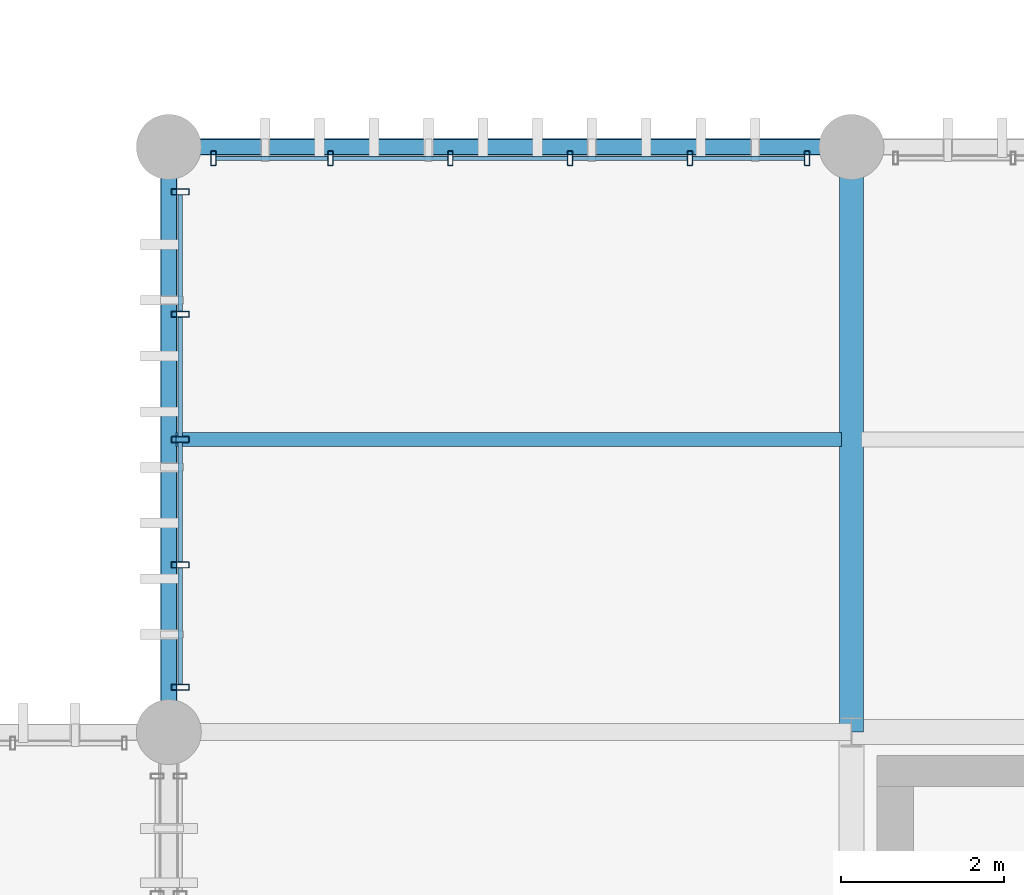
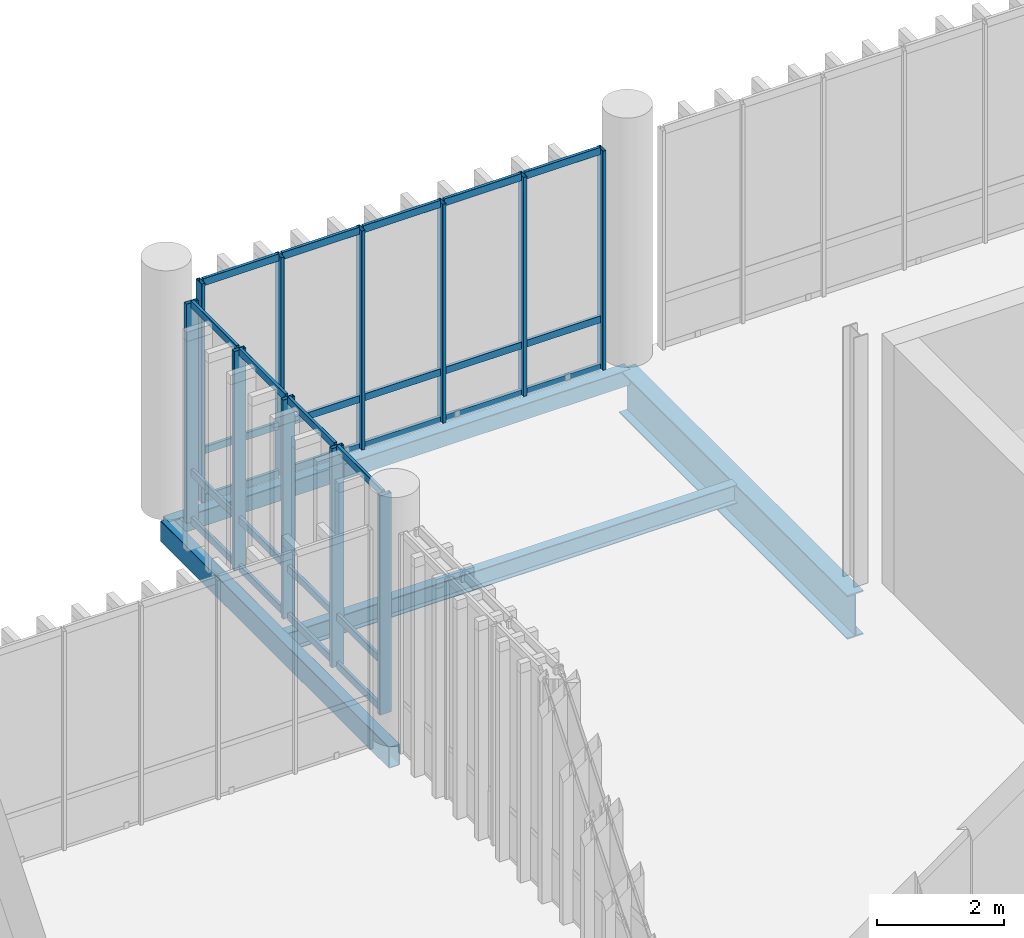
# One storey, part 33 of 94: 38 members, 4 beams, 2 elements without a shape of their own.
"""IFC4 building model written with IfcOpenShell, lengths in metres."""

import ifcopenshell
import ifcopenshell.guid

model = None  # the IFC model being written
_history = None  # IfcOwnerHistory: only IFC2X3 demands one
_inside = {}  # id of a spatial element -> (the spatial element, [elements in it])
_under = {}  # id of a project, library or spatial element -> (it, [spatial elements below it])
_declared = {}  # id of a project -> (the project, [libraries it declares])
_typed = {}  # id of a type object -> (the type object, [elements of that type])
_made_of = {}  # id of a material, layer set ... -> (it, [elements and type objects made of it])


def new_model(schema):
    """Start an empty IFC model of exactly this schema.

    Asked for "IFC4X3", IfcOpenShell would pick the latest addendum, in which some entities
    have other attributes; the version numbers below select the first issue.
    IFC2X3 requires an IfcOwnerHistory on every rooted entity: one is made here for all.
    """
    global model, _history
    if schema == "IFC4X3":
        model = ifcopenshell.file(schema_version=(4, 3, 0, 0))
    else:
        model = ifcopenshell.file(schema=schema)
    _inside.clear()
    _under.clear()
    _declared.clear()
    _typed.clear()
    _made_of.clear()
    _history = None
    if model.schema == "IFC2X3":
        org = make("IfcOrganization", Name="unknown")
        user = make(
            "IfcPersonAndOrganization",
            ThePerson=make("IfcPerson", FamilyName="unknown"),
            TheOrganization=org,
        )
        app = make(
            "IfcApplication",
            ApplicationDeveloper=org,
            Version="unknown",
            ApplicationFullName="unknown",
            ApplicationIdentifier="unknown",
        )
        _history = make(
            "IfcOwnerHistory",
            OwningUser=user,
            OwningApplication=app,
            ChangeAction="ADDED",
            CreationDate=0,
        )
    return model


def make(cls, **values):
    """One entity of the class cls with the attributes given. An attribute that is None is left unset."""
    return model.create_entity(
        cls, **{name: value for name, value in values.items() if value is not None}
    )


def rooted(cls, **values):
    """An entity with a GlobalId (a new one), such as an element, a storey or a relation."""
    return make(cls, GlobalId=ifcopenshell.guid.new(), OwnerHistory=_history, **values)


def si_unit(unit_type, name, prefix=None):
    """IfcSIUnit, for example si_unit("LENGTHUNIT", "METRE", prefix="MILLI")."""
    return make("IfcSIUnit", UnitType=unit_type, Prefix=prefix, Name=name)


def assignment(units):
    """IfcUnitAssignment: the units of a project."""
    return None if units is None else make("IfcUnitAssignment", Units=units)


def point(xyz):
    """IfcCartesianPoint."""
    return None if xyz is None else make("IfcCartesianPoint", Coordinates=xyz)


def direction(xyz):
    """IfcDirection."""
    return None if xyz is None else make("IfcDirection", DirectionRatios=xyz)


def frame(location, z_axis=None, x_axis=None):
    """IfcAxis2Placement3D, a coordinate frame: its origin and axes. An axis left out is left unset."""
    return make(
        "IfcAxis2Placement3D",
        Location=point(location),
        Axis=direction(z_axis),
        RefDirection=direction(x_axis),
    )


def frame_2d(location, x_axis=None):
    """IfcAxis2Placement2D, a coordinate frame in the plane: its origin and x axis."""
    return make(
        "IfcAxis2Placement2D", Location=point(location), RefDirection=direction(x_axis)
    )


def origin_with_axes():
    """The frame at (0, 0, 0) with the z axis (0, 0, 1) and the x axis (1, 0, 0) written out."""
    return frame((0.0, 0.0, 0.0), z_axis=(0.0, 0.0, 1.0), x_axis=(1.0, 0.0, 0.0))


def origin_2d_with_axis():
    """The frame at (0, 0) in the plane with the x axis (1, 0) written out."""
    return frame_2d((0.0, 0.0), x_axis=(1.0, 0.0))


def place(relative_to, where):
    """IfcLocalPlacement: puts the frame where relative to a parent placement (None: the world)."""
    return make(
        "IfcLocalPlacement", PlacementRelTo=relative_to, RelativePlacement=where
    )


def context(
    kind, dimensions, precision=None, world=None, true_north=None, identifier=None
):
    """IfcGeometricRepresentationContext, for example the 3D "Model" context."""
    return make(
        "IfcGeometricRepresentationContext",
        ContextIdentifier=identifier,
        ContextType=kind,
        CoordinateSpaceDimension=dimensions,
        Precision=precision,
        WorldCoordinateSystem=world,
        TrueNorth=true_north,
    )


def subcontext(parent, identifier, kind, view, scale=None):
    """IfcGeometricRepresentationSubContext, for example "Body" below "Model"."""
    return make(
        "IfcGeometricRepresentationSubContext",
        ContextIdentifier=identifier,
        ContextType=kind,
        ParentContext=parent,
        TargetScale=scale,
        TargetView=view,
    )


def project(units=None, contexts=None):
    """IfcProject with its units and contexts."""
    return rooted(
        "IfcProject",
        Name="project",
        RepresentationContexts=contexts,
        UnitsInContext=assignment(units),
    )


def spatial(cls, under=None, at=None, **own):
    """A site, building, storey or space (cls), placed at a placement, below another one or the project."""
    s = rooted(cls, ObjectPlacement=at, **own)
    if under is not None:
        _under.setdefault(under.id(), (under, []))[1].append(s)
    return s


def profile(cls, at=None, kind="AREA", **sizes):
    """A parametric profile (cls). Its sizes go by their IFC names, for example OverallWidth=200.0."""
    return make(cls, ProfileType=kind, Position=at, **sizes)


def hollow_rectangle(**sizes):
    """IfcRectangleHollowProfileDef."""
    return profile("IfcRectangleHollowProfileDef", **sizes)


def i_section(**sizes):
    """IfcIShapeProfileDef."""
    return profile("IfcIShapeProfileDef", **sizes)


def extrude(swept, where, along, depth):
    """IfcExtrudedAreaSolid: the profile swept, set in the frame where, extruded along a direction by depth."""
    return make(
        "IfcExtrudedAreaSolid",
        SweptArea=swept,
        Position=where,
        ExtrudedDirection=direction(along),
        Depth=depth,
    )


def shape(context_of_items, identifier, shape_type, items):
    """IfcShapeRepresentation: the items that make up one representation, for example the "Body"."""
    return make(
        "IfcShapeRepresentation",
        ContextOfItems=context_of_items,
        RepresentationIdentifier=identifier,
        RepresentationType=shape_type,
        Items=items,
    )


def material(Name=None, Category=None):
    """IfcMaterial."""
    return make("IfcMaterial", Name=Name, Category=Category)


def material_profile(
    of_material, cross_section, Name=None, Category=None, Priority=None
):
    """IfcMaterialProfile: a cross section and its material."""
    return make(
        "IfcMaterialProfile",
        Name=Name,
        Material=of_material,
        Profile=cross_section,
        Priority=Priority,
        Category=Category,
    )


def profile_set(profiles, Name=None, composite=None):
    """IfcMaterialProfileSet."""
    return make(
        "IfcMaterialProfileSet",
        Name=Name,
        MaterialProfiles=profiles,
        CompositeProfile=composite,
    )


def made_of(thing, what):
    """Note that an element or type object is made of a material, layer set ...; save() writes the relation."""
    if what is not None:
        _made_of.setdefault(what.id(), (what, []))[1].append(thing)
    return thing


def type_object(cls, material=None, **own):
    """A type object (cls), such as IfcWallType, which elements share."""
    return made_of(rooted(cls, **own), material)


def element(
    cls,
    number,
    at=None,
    inside=None,
    cuts=None,
    type_object=None,
    material=None,
    context=None,
    identifier="Body",
    shape_type=None,
    held_by="IfcProductDefinitionShape",
    body=None,
    shapes=None,
    **own,
):
    """One element of the class cls, such as IfcWall. Its Tag is "e" and its number.

    at: its placement. inside: the storey or other place that contains it. cuts: it is an
    opening in that element (IfcRelVoidsElement). A single representation is given by context,
    identifier, shape_type and body (its items); several are given by shapes. held_by: the class
    of the entity that holds the representations. save() writes the other relations.
    """
    e = rooted(cls, Tag="e%d" % number, ObjectPlacement=at, **own)
    if body is not None:
        shapes = [shape(context, identifier, shape_type, body)]
    if shapes is not None:
        e.Representation = make(held_by, Representations=shapes)
    if inside is not None:
        _inside.setdefault(inside.id(), (inside, []))[1].append(e)
    if cuts is not None:
        rooted(
            "IfcRelVoidsElement", RelatingBuildingElement=cuts, RelatedOpeningElement=e
        )
    if type_object is not None:
        _typed.setdefault(type_object.id(), (type_object, []))[1].append(e)
    return made_of(e, material)


def aggregate(whole, parts):
    """IfcRelAggregates: a whole, such as a stair, and the parts it consists of."""
    return rooted("IfcRelAggregates", RelatingObject=whole, RelatedObjects=parts)


def save(model, path):
    """Write the relations noted so far, then the file.

    IfcRelAggregates (storeys below a building ...), IfcRelContainedInSpatialStructure (elements
    in a storey), IfcRelDefinesByType, IfcRelAssociatesMaterial and IfcRelDeclares: one each for
    every whole, place, type object, material and project.
    """
    for whole, parts in _under.values():
        aggregate(whole, parts)
    for where, things in _inside.values():
        rooted(
            "IfcRelContainedInSpatialStructure",
            RelatedElements=things,
            RelatingStructure=where,
        )
    for kind, things in _typed.values():
        rooted("IfcRelDefinesByType", RelatedObjects=things, RelatingType=kind)
    for what, things in _made_of.values():
        rooted("IfcRelAssociatesMaterial", RelatedObjects=things, RelatingMaterial=what)
    for by, libraries in _declared.values():
        rooted("IfcRelDeclares", RelatingContext=by, RelatedDefinitions=libraries)
    model.write(path)


model = new_model("IFC4")

# Units and contexts
model_context = context("Model", 3, precision=1e-05, world=origin_with_axes(), true_north=direction((0.0, 1.0)))
body_context = subcontext(model_context, "Body", "Model", "MODEL_VIEW")
ifc_project = project(units=[si_unit("LENGTHUNIT", "METRE"), si_unit("AREAUNIT", "SQUARE_METRE"), si_unit("VOLUMEUNIT", "CUBIC_METRE"), si_unit("PLANEANGLEUNIT", "RADIAN"), si_unit("MASSUNIT", "GRAM", prefix="KILO"), si_unit("THERMODYNAMICTEMPERATUREUNIT", "KELVIN")], contexts=[model_context])

# Site, building, storey
site_placement = place(None, origin_with_axes())
site = spatial("IfcSite", under=ifc_project, at=site_placement, CompositionType="ELEMENT")
building_placement = place(site_placement, origin_with_axes())
building = spatial("IfcBuilding", under=site, at=building_placement, Name="Montbau Bow Law Courts", CompositionType="ELEMENT")
storey_placement = place(building_placement, frame((0.0, 0.0, 15.6), z_axis=(0.0, 0.0, 1.0), x_axis=(1.0, 0.0, 0.0)))
storey = spatial("IfcBuildingStorey", under=building, at=storey_placement, Name="L03", CompositionType="ELEMENT", Elevation=15.6)

# Beams
ifc_material_1 = material(Name="Steel CSA G40.21 Grade 350W (350 MPa)", Category="steel")
ifc_material_profile_1 = material_profile(ifc_material_1, i_section(OverallWidth=0.293, OverallDepth=0.846, WebThickness=0.0154, FlangeThickness=0.0244, at=origin_2d_with_axis()), Name="W840X210", Category="Main", Priority=0)
ifc_profile_set_1 = profile_set([ifc_material_profile_1], Name="Steel CSA G40.21 Grade 350W (350 MPa)")
beam_type_1 = type_object("IfcBeamType", Name="B-FLR-02", PredefinedType="BEAM", material=ifc_profile_set_1)
beam_1_placement = place(None, frame((55.2, 54.6, 14.917), z_axis=(0.0, 1.0, 0.0), x_axis=(-1.0, 0.0, 0.0)))
element("IfcBeam", 1, at=beam_1_placement, inside=storey, type_object=beam_type_1, Name="BM-L03-S0901:bm2_0904", PredefinedType="BEAM", context=body_context, shape_type="SweptSolid", body=[
    extrude(i_section(OverallWidth=0.293, OverallDepth=0.846, WebThickness=0.0154, FlangeThickness=0.0244, at=origin_2d_with_axis()), origin_with_axes(), (0.0, 0.0, 1.0), 7.2),
])
ifc_material_profile_2 = material_profile(ifc_material_1, i_section(OverallWidth=0.172, OverallDepth=0.358, WebThickness=0.0079, FlangeThickness=0.0131, at=origin_2d_with_axis()), Name="W360X57", Category="Main", Priority=0)
ifc_profile_set_2 = profile_set([ifc_material_profile_2], Name="Steel CSA G40.21 Grade 350W (350 MPa)")
beam_type_2 = type_object("IfcBeamType", Name="B-JST-03", PredefinedType="JOIST", material=ifc_profile_set_2)
beam_2_placement = place(None, frame((46.88, 58.2, 15.161), z_axis=(1.0, 0.0, 0.0), x_axis=(0.0, 1.0, 0.0)))
element("IfcBeam", 2, at=beam_2_placement, inside=storey, type_object=beam_type_2, Name="JST-L03-S0458:jst2_0458", PredefinedType="JOIST", context=body_context, shape_type="SweptSolid", body=[
    extrude(i_section(OverallWidth=0.172, OverallDepth=0.358, WebThickness=0.0079, FlangeThickness=0.0131, at=origin_2d_with_axis()), origin_with_axes(), (0.0, 0.0, 1.0), 8.198),
])
ifc_material_2 = material(Name="Steel CSA G40.21 Grade 350WT (350 MPa)", Category="steel")
ifc_material_profile_3 = material_profile(ifc_material_2, hollow_rectangle(XDim=0.203, YDim=0.406, WallThickness=0.0127, InnerFilletRadius=0.0254, OuterFilletRadius=0.0127, at=origin_2d_with_axis()), Name="HSS406X203X13", Category="Main", Priority=0)
ifc_profile_set_3 = profile_set([ifc_material_profile_3], Name="Steel CSA G40.21 Grade 350WT (350 MPa)")
beam_type_3 = type_object("IfcBeamType", Name="B-SPN-01", PredefinedType="SPANDREL", material=ifc_profile_set_3)
beam_3_placement = place(None, frame((46.8, 54.6, 15.137), z_axis=(0.0, 1.0, 0.0), x_axis=(-1.0, 0.0, 0.0)))
element("IfcBeam", 3, at=beam_3_placement, inside=storey, type_object=beam_type_3, Name="SPN-L03-S0898:bm2_0901", PredefinedType="SPANDREL", context=body_context, shape_type="SweptSolid", body=[
    extrude(hollow_rectangle(XDim=0.203, YDim=0.406, WallThickness=0.0127, InnerFilletRadius=0.0254, OuterFilletRadius=0.0127, at=origin_2d_with_axis()), origin_with_axes(), (0.0, 0.0, 1.0), 7.2),
])
ifc_material_profile_4 = material_profile(ifc_material_2, hollow_rectangle(XDim=0.203, YDim=0.305, WallThickness=0.0127, InnerFilletRadius=0.0254, OuterFilletRadius=0.0127, at=origin_2d_with_axis()), Name="HSS305X203X13", Category="Main", Priority=0)
ifc_profile_set_4 = profile_set([ifc_material_profile_4], Name="Steel CSA G40.21 Grade 350WT (350 MPa)")
beam_type_4 = type_object("IfcBeamType", Name="B-SPN-02", PredefinedType="SPANDREL", material=ifc_profile_set_4)
beam_4_placement = place(None, frame((46.8, 61.8, 15.188), z_axis=(1.0, 0.0, 0.0), x_axis=(0.0, 1.0, 0.0)))
element("IfcBeam", 4, at=beam_4_placement, inside=storey, type_object=beam_type_4, Name="SPN-L03-S0892:bm2_0895", PredefinedType="SPANDREL", context=body_context, shape_type="SweptSolid", body=[
    extrude(hollow_rectangle(XDim=0.203, YDim=0.305, WallThickness=0.0127, InnerFilletRadius=0.0254, OuterFilletRadius=0.0127, at=origin_2d_with_axis()), origin_with_axes(), (0.0, 0.0, 1.0), 8.4),
])

# Curtain wall, members
ifc_material_3 = material(Name="Thermally Broken Extruded Aluminium AA 6063-T6", Category="aluminium")
curtain_wall_type = type_object("IfcCurtainWallType", Name="CW-CRM-01", PredefinedType="NOTDEFINED", material=ifc_material_3)
curtain_wall_1_placement = place(None, frame((46.94, 55.115, 15.6), z_axis=(0.0, 0.0, 1.0), x_axis=(1.0, 0.0, 0.0)))
curtain_wall_1 = element("IfcCurtainWall", 5, at=curtain_wall_1_placement, inside=storey, type_object=curtain_wall_type, Name="CW-L03-189:cw_0189", PredefinedType="NOTDEFINED")
ifc_material_profile_5 = material_profile(ifc_material_3, hollow_rectangle(XDim=0.075, YDim=0.22, WallThickness=0.005, InnerFilletRadius=0.01, OuterFilletRadius=0.005, at=origin_2d_with_axis()), Name="CWM-220X75", Category="Main", Priority=0)
ifc_profile_set_5 = profile_set([ifc_material_profile_5], Name="Thermally Broken Extruded Aluminium AA 6063-T6")
member_type_1 = type_object("IfcMemberType", Name="M-MUL-01", PredefinedType="MULLION", material=ifc_profile_set_5)
member_1_placement = place(None, frame((46.94, 55.152, 15.6), z_axis=(0.0, 0.0, 1.0), x_axis=(0.0, 1.0, 0.0)))
member_1 = element("IfcMember", 6, at=member_1_placement, type_object=member_type_1, Name="CW-L03-189-M01:cw_0189_M01", PredefinedType="MULLION", context=body_context, shape_type="SweptSolid", body=[
    extrude(hollow_rectangle(XDim=0.075, YDim=0.22, WallThickness=0.005, InnerFilletRadius=0.01, OuterFilletRadius=0.005, at=origin_2d_with_axis()), origin_with_axes(), (0.0, 0.0, 1.0), 4.22),
])
member_2_placement = place(None, frame((46.94, 56.657, 15.6), z_axis=(0.0, 0.0, 1.0), x_axis=(0.0, 1.0, 0.0)))
member_2 = element("IfcMember", 7, at=member_2_placement, type_object=member_type_1, Name="CW-L03-189-M02:cw_0189_M02", PredefinedType="MULLION", context=body_context, shape_type="SweptSolid", body=[
    extrude(hollow_rectangle(XDim=0.075, YDim=0.22, WallThickness=0.005, InnerFilletRadius=0.01, OuterFilletRadius=0.005, at=origin_2d_with_axis()), origin_with_axes(), (0.0, 0.0, 1.0), 4.22),
])
member_3_placement = place(None, frame((46.94, 58.2, 15.6), z_axis=(0.0, 0.0, 1.0), x_axis=(0.0, 1.0, 0.0)))
member_3 = element("IfcMember", 8, at=member_3_placement, type_object=member_type_1, Name="CW-L03-189-M03:cw_0189_M03", PredefinedType="MULLION", context=body_context, shape_type="SweptSolid", body=[
    extrude(hollow_rectangle(XDim=0.075, YDim=0.22, WallThickness=0.005, InnerFilletRadius=0.01, OuterFilletRadius=0.005, at=origin_2d_with_axis()), origin_with_axes(), (0.0, 0.0, 1.0), 4.22),
])
member_4_placement = place(None, frame((46.94, 59.742, 15.6), z_axis=(0.0, 0.0, 1.0), x_axis=(0.0, 1.0, 0.0)))
member_4 = element("IfcMember", 9, at=member_4_placement, type_object=member_type_1, Name="CW-L03-189-M04:cw_0189_M04", PredefinedType="MULLION", context=body_context, shape_type="SweptSolid", body=[
    extrude(hollow_rectangle(XDim=0.075, YDim=0.22, WallThickness=0.005, InnerFilletRadius=0.01, OuterFilletRadius=0.005, at=origin_2d_with_axis()), origin_with_axes(), (0.0, 0.0, 1.0), 4.22),
])
member_5_placement = place(None, frame((46.94, 61.247, 15.6), z_axis=(0.0, 0.0, 1.0), x_axis=(0.0, 1.0, 0.0)))
member_5 = element("IfcMember", 10, at=member_5_placement, type_object=member_type_1, Name="CW-L03-189-M05:cw_0189_M05", PredefinedType="MULLION", context=body_context, shape_type="SweptSolid", body=[
    extrude(hollow_rectangle(XDim=0.075, YDim=0.22, WallThickness=0.005, InnerFilletRadius=0.01, OuterFilletRadius=0.005, at=origin_2d_with_axis()), origin_with_axes(), (0.0, 0.0, 1.0), 4.22),
])

curtain_wall_2_placement = place(None, frame((47.315, 61.66, 15.6), z_axis=(0.0, 0.0, 1.0), x_axis=(1.0, 0.0, 0.0)))
curtain_wall_2 = element("IfcCurtainWall", 11, at=curtain_wall_2_placement, inside=storey, type_object=curtain_wall_type, Name="CW-L03-181:cw_0181", PredefinedType="NOTDEFINED")
ifc_material_profile_6 = material_profile(ifc_material_3, hollow_rectangle(XDim=0.065, YDim=0.18, WallThickness=0.005, InnerFilletRadius=0.01, OuterFilletRadius=0.005, at=origin_2d_with_axis()), Name="CWM-180X65", Category="Main", Priority=0)
ifc_profile_set_6 = profile_set([ifc_material_profile_6], Name="Thermally Broken Extruded Aluminium AA 6063-T6")
member_type_2 = type_object("IfcMemberType", Name="M-MUL-02", PredefinedType="MULLION", material=ifc_profile_set_6)
member_6_placement = place(None, frame((47.348, 61.66, 15.6), z_axis=(0.0, 0.0, 1.0), x_axis=(1.0, 0.0, 0.0)))
member_6 = element("IfcMember", 12, at=member_6_placement, type_object=member_type_2, Name="CW-L03-181-M01:cw_0181_M01", PredefinedType="MULLION", context=body_context, shape_type="SweptSolid", body=[
    extrude(hollow_rectangle(XDim=0.065, YDim=0.18, WallThickness=0.005, InnerFilletRadius=0.01, OuterFilletRadius=0.005, at=origin_2d_with_axis()), origin_with_axes(), (0.0, 0.0, 1.0), 4.22),
])
member_7_placement = place(None, frame((48.789, 61.66, 15.6), z_axis=(0.0, 0.0, 1.0), x_axis=(1.0, 0.0, 0.0)))
member_7 = element("IfcMember", 13, at=member_7_placement, type_object=member_type_2, Name="CW-L03-181-M02:cw_0181_M02", PredefinedType="MULLION", context=body_context, shape_type="SweptSolid", body=[
    extrude(hollow_rectangle(XDim=0.065, YDim=0.18, WallThickness=0.005, InnerFilletRadius=0.01, OuterFilletRadius=0.005, at=origin_2d_with_axis()), origin_with_axes(), (0.0, 0.0, 1.0), 4.22),
])
member_8_placement = place(None, frame((50.263, 61.66, 15.6), z_axis=(0.0, 0.0, 1.0), x_axis=(1.0, 0.0, 0.0)))
member_8 = element("IfcMember", 14, at=member_8_placement, type_object=member_type_2, Name="CW-L03-181-M03:cw_0181_M03", PredefinedType="MULLION", context=body_context, shape_type="SweptSolid", body=[
    extrude(hollow_rectangle(XDim=0.065, YDim=0.18, WallThickness=0.005, InnerFilletRadius=0.01, OuterFilletRadius=0.005, at=origin_2d_with_axis()), origin_with_axes(), (0.0, 0.0, 1.0), 4.22),
])
member_9_placement = place(None, frame((51.737, 61.66, 15.6), z_axis=(0.0, 0.0, 1.0), x_axis=(1.0, 0.0, 0.0)))
member_9 = element("IfcMember", 15, at=member_9_placement, type_object=member_type_2, Name="CW-L03-181-M04:cw_0181_M04", PredefinedType="MULLION", context=body_context, shape_type="SweptSolid", body=[
    extrude(hollow_rectangle(XDim=0.065, YDim=0.18, WallThickness=0.005, InnerFilletRadius=0.01, OuterFilletRadius=0.005, at=origin_2d_with_axis()), origin_with_axes(), (0.0, 0.0, 1.0), 4.22),
])
member_10_placement = place(None, frame((53.211, 61.66, 15.6), z_axis=(0.0, 0.0, 1.0), x_axis=(1.0, 0.0, 0.0)))
member_10 = element("IfcMember", 16, at=member_10_placement, type_object=member_type_2, Name="CW-L03-181-M05:cw_0181_M05", PredefinedType="MULLION", context=body_context, shape_type="SweptSolid", body=[
    extrude(hollow_rectangle(XDim=0.065, YDim=0.18, WallThickness=0.005, InnerFilletRadius=0.01, OuterFilletRadius=0.005, at=origin_2d_with_axis()), origin_with_axes(), (0.0, 0.0, 1.0), 4.22),
])
member_11_placement = place(None, frame((54.653, 61.66, 15.6), z_axis=(0.0, 0.0, 1.0), x_axis=(1.0, 0.0, 0.0)))
member_11 = element("IfcMember", 17, at=member_11_placement, type_object=member_type_2, Name="CW-L03-181-M06:cw_0181_M06", PredefinedType="MULLION", context=body_context, shape_type="SweptSolid", body=[
    extrude(hollow_rectangle(XDim=0.065, YDim=0.18, WallThickness=0.005, InnerFilletRadius=0.01, OuterFilletRadius=0.005, at=origin_2d_with_axis()), origin_with_axes(), (0.0, 0.0, 1.0), 4.22),
])
ifc_material_profile_7 = material_profile(ifc_material_3, hollow_rectangle(XDim=0.055, YDim=0.14, WallThickness=0.004, InnerFilletRadius=0.008, OuterFilletRadius=0.004, at=origin_2d_with_axis()), Name="CWT-140X55", Category="Main", Priority=0)
ifc_profile_set_7 = profile_set([ifc_material_profile_7], Name="Thermally Broken Extruded Aluminium AA 6063-T6")
member_type_3 = type_object("IfcMemberType", Name="M-TRN-02", PredefinedType="USERDEFINED", material=ifc_profile_set_7)
member_12_placement = place(None, frame((47.383, 61.66, 15.627), z_axis=(1.0, 0.0, 0.0), x_axis=(0.0, 1.0, 0.0)))
member_12 = element("IfcMember", 18, at=member_12_placement, type_object=member_type_3, Name="CW-L03-181-T01-1:cw_0181_T01_1", ObjectType="TRANSOM", PredefinedType="USERDEFINED", context=body_context, shape_type="SweptSolid", body=[
    extrude(hollow_rectangle(XDim=0.055, YDim=0.14, WallThickness=0.004, InnerFilletRadius=0.008, OuterFilletRadius=0.004, at=origin_2d_with_axis()), origin_with_axes(), (0.0, 0.0, 1.0), 1.372),
])
member_13_placement = place(None, frame((47.383, 61.66, 16.55), z_axis=(1.0, 0.0, 0.0), x_axis=(0.0, 1.0, 0.0)))
member_13 = element("IfcMember", 19, at=member_13_placement, type_object=member_type_3, Name="CW-L03-181-T01-2:cw_0181_T01_2", ObjectType="TRANSOM", PredefinedType="USERDEFINED", context=body_context, shape_type="SweptSolid", body=[
    extrude(hollow_rectangle(XDim=0.055, YDim=0.14, WallThickness=0.004, InnerFilletRadius=0.008, OuterFilletRadius=0.004, at=origin_2d_with_axis()), origin_with_axes(), (0.0, 0.0, 1.0), 1.372),
])
member_14_placement = place(None, frame((47.383, 61.66, 19.793), z_axis=(1.0, 0.0, 0.0), x_axis=(0.0, 1.0, 0.0)))
member_14 = element("IfcMember", 20, at=member_14_placement, type_object=member_type_3, Name="CW-L03-181-T01-3:cw_0181_T01_3", ObjectType="TRANSOM", PredefinedType="USERDEFINED", context=body_context, shape_type="SweptSolid", body=[
    extrude(hollow_rectangle(XDim=0.055, YDim=0.14, WallThickness=0.004, InnerFilletRadius=0.008, OuterFilletRadius=0.004, at=origin_2d_with_axis()), origin_with_axes(), (0.0, 0.0, 1.0), 1.372),
])
member_15_placement = place(None, frame((48.823, 61.66, 15.627), z_axis=(1.0, 0.0, 0.0), x_axis=(0.0, 1.0, 0.0)))
member_15 = element("IfcMember", 21, at=member_15_placement, type_object=member_type_3, Name="CW-L03-181-T02-1:cw_0181_T02_1", ObjectType="TRANSOM", PredefinedType="USERDEFINED", context=body_context, shape_type="SweptSolid", body=[
    extrude(hollow_rectangle(XDim=0.055, YDim=0.14, WallThickness=0.004, InnerFilletRadius=0.008, OuterFilletRadius=0.004, at=origin_2d_with_axis()), origin_with_axes(), (0.0, 0.0, 1.0), 1.405),
])
member_16_placement = place(None, frame((48.823, 61.66, 16.55), z_axis=(1.0, 0.0, 0.0), x_axis=(0.0, 1.0, 0.0)))
member_16 = element("IfcMember", 22, at=member_16_placement, type_object=member_type_3, Name="CW-L03-181-T02-2:cw_0181_T02_2", ObjectType="TRANSOM", PredefinedType="USERDEFINED", context=body_context, shape_type="SweptSolid", body=[
    extrude(hollow_rectangle(XDim=0.055, YDim=0.14, WallThickness=0.004, InnerFilletRadius=0.008, OuterFilletRadius=0.004, at=origin_2d_with_axis()), origin_with_axes(), (0.0, 0.0, 1.0), 1.405),
])
member_17_placement = place(None, frame((48.823, 61.66, 19.793), z_axis=(1.0, 0.0, 0.0), x_axis=(0.0, 1.0, 0.0)))
member_17 = element("IfcMember", 23, at=member_17_placement, type_object=member_type_3, Name="CW-L03-181-T02-3:cw_0181_T02_3", ObjectType="TRANSOM", PredefinedType="USERDEFINED", context=body_context, shape_type="SweptSolid", body=[
    extrude(hollow_rectangle(XDim=0.055, YDim=0.14, WallThickness=0.004, InnerFilletRadius=0.008, OuterFilletRadius=0.004, at=origin_2d_with_axis()), origin_with_axes(), (0.0, 0.0, 1.0), 1.405),
])
member_18_placement = place(None, frame((50.297, 61.66, 15.627), z_axis=(1.0, 0.0, 0.0), x_axis=(0.0, 1.0, 0.0)))
member_18 = element("IfcMember", 24, at=member_18_placement, type_object=member_type_3, Name="CW-L03-181-T03-1:cw_0181_T03_1", ObjectType="TRANSOM", PredefinedType="USERDEFINED", context=body_context, shape_type="SweptSolid", body=[
    extrude(hollow_rectangle(XDim=0.055, YDim=0.14, WallThickness=0.004, InnerFilletRadius=0.008, OuterFilletRadius=0.004, at=origin_2d_with_axis()), origin_with_axes(), (0.0, 0.0, 1.0), 1.406),
])
member_19_placement = place(None, frame((50.297, 61.66, 16.55), z_axis=(1.0, 0.0, 0.0), x_axis=(0.0, 1.0, 0.0)))
member_19 = element("IfcMember", 25, at=member_19_placement, type_object=member_type_3, Name="CW-L03-181-T03-2:cw_0181_T03_2", ObjectType="TRANSOM", PredefinedType="USERDEFINED", context=body_context, shape_type="SweptSolid", body=[
    extrude(hollow_rectangle(XDim=0.055, YDim=0.14, WallThickness=0.004, InnerFilletRadius=0.008, OuterFilletRadius=0.004, at=origin_2d_with_axis()), origin_with_axes(), (0.0, 0.0, 1.0), 1.406),
])
member_20_placement = place(None, frame((50.297, 61.66, 19.793), z_axis=(1.0, 0.0, 0.0), x_axis=(0.0, 1.0, 0.0)))
member_20 = element("IfcMember", 26, at=member_20_placement, type_object=member_type_3, Name="CW-L03-181-T03-3:cw_0181_T03_3", ObjectType="TRANSOM", PredefinedType="USERDEFINED", context=body_context, shape_type="SweptSolid", body=[
    extrude(hollow_rectangle(XDim=0.055, YDim=0.14, WallThickness=0.004, InnerFilletRadius=0.008, OuterFilletRadius=0.004, at=origin_2d_with_axis()), origin_with_axes(), (0.0, 0.0, 1.0), 1.406),
])
member_21_placement = place(None, frame((51.771, 61.66, 15.627), z_axis=(1.0, 0.0, 0.0), x_axis=(0.0, 1.0, 0.0)))
member_21 = element("IfcMember", 27, at=member_21_placement, type_object=member_type_3, Name="CW-L03-181-T04-1:cw_0181_T04_1", ObjectType="TRANSOM", PredefinedType="USERDEFINED", context=body_context, shape_type="SweptSolid", body=[
    extrude(hollow_rectangle(XDim=0.055, YDim=0.14, WallThickness=0.004, InnerFilletRadius=0.008, OuterFilletRadius=0.004, at=origin_2d_with_axis()), origin_with_axes(), (0.0, 0.0, 1.0), 1.406),
])
member_22_placement = place(None, frame((51.771, 61.66, 16.55), z_axis=(1.0, 0.0, 0.0), x_axis=(0.0, 1.0, 0.0)))
member_22 = element("IfcMember", 28, at=member_22_placement, type_object=member_type_3, Name="CW-L03-181-T04-2:cw_0181_T04_2", ObjectType="TRANSOM", PredefinedType="USERDEFINED", context=body_context, shape_type="SweptSolid", body=[
    extrude(hollow_rectangle(XDim=0.055, YDim=0.14, WallThickness=0.004, InnerFilletRadius=0.008, OuterFilletRadius=0.004, at=origin_2d_with_axis()), origin_with_axes(), (0.0, 0.0, 1.0), 1.406),
])
member_23_placement = place(None, frame((51.771, 61.66, 19.793), z_axis=(1.0, 0.0, 0.0), x_axis=(0.0, 1.0, 0.0)))
member_23 = element("IfcMember", 29, at=member_23_placement, type_object=member_type_3, Name="CW-L03-181-T04-3:cw_0181_T04_3", ObjectType="TRANSOM", PredefinedType="USERDEFINED", context=body_context, shape_type="SweptSolid", body=[
    extrude(hollow_rectangle(XDim=0.055, YDim=0.14, WallThickness=0.004, InnerFilletRadius=0.008, OuterFilletRadius=0.004, at=origin_2d_with_axis()), origin_with_axes(), (0.0, 0.0, 1.0), 1.406),
])
member_24_placement = place(None, frame((53.245, 61.66, 15.627), z_axis=(1.0, 0.0, 0.0), x_axis=(0.0, 1.0, 0.0)))
member_24 = element("IfcMember", 30, at=member_24_placement, type_object=member_type_3, Name="CW-L03-181-T05-1:cw_0181_T05_1", ObjectType="TRANSOM", PredefinedType="USERDEFINED", context=body_context, shape_type="SweptSolid", body=[
    extrude(hollow_rectangle(XDim=0.055, YDim=0.14, WallThickness=0.004, InnerFilletRadius=0.008, OuterFilletRadius=0.004, at=origin_2d_with_axis()), origin_with_axes(), (0.0, 0.0, 1.0), 1.374),
])
member_25_placement = place(None, frame((53.245, 61.66, 16.55), z_axis=(1.0, 0.0, 0.0), x_axis=(0.0, 1.0, 0.0)))
member_25 = element("IfcMember", 31, at=member_25_placement, type_object=member_type_3, Name="CW-L03-181-T05-2:cw_0181_T05_2", ObjectType="TRANSOM", PredefinedType="USERDEFINED", context=body_context, shape_type="SweptSolid", body=[
    extrude(hollow_rectangle(XDim=0.055, YDim=0.14, WallThickness=0.004, InnerFilletRadius=0.008, OuterFilletRadius=0.004, at=origin_2d_with_axis()), origin_with_axes(), (0.0, 0.0, 1.0), 1.374),
])
member_26_placement = place(None, frame((53.245, 61.66, 19.793), z_axis=(1.0, 0.0, 0.0), x_axis=(0.0, 1.0, 0.0)))
member_26 = element("IfcMember", 32, at=member_26_placement, type_object=member_type_3, Name="CW-L03-181-T05-3:cw_0181_T05_3", ObjectType="TRANSOM", PredefinedType="USERDEFINED", context=body_context, shape_type="SweptSolid", body=[
    extrude(hollow_rectangle(XDim=0.055, YDim=0.14, WallThickness=0.004, InnerFilletRadius=0.008, OuterFilletRadius=0.004, at=origin_2d_with_axis()), origin_with_axes(), (0.0, 0.0, 1.0), 1.374),
])
aggregate(curtain_wall_2, [member_6, member_7, member_8, member_9, member_10, member_11, member_12, member_13, member_14, member_15, member_16, member_17, member_18, member_19, member_20, member_21, member_22, member_23, member_24, member_25, member_26])

# Member
member_27_placement = place(None, frame((46.94, 55.191, 15.627), z_axis=(0.0, 1.0, 0.0), x_axis=(-1.0, 0.0, 0.0)))
member_27 = element("IfcMember", 33, at=member_27_placement, type_object=member_type_3, Name="CW-L03-189-T01-1:cw_0189_T01_1", ObjectType="TRANSOM", PredefinedType="USERDEFINED", context=body_context, shape_type="SweptSolid", body=[
    extrude(hollow_rectangle(XDim=0.055, YDim=0.14, WallThickness=0.004, InnerFilletRadius=0.008, OuterFilletRadius=0.004, at=origin_2d_with_axis()), origin_with_axes(), (0.0, 0.0, 1.0), 1.426),
])

member_28_placement = place(None, frame((46.94, 55.191, 16.55), z_axis=(0.0, 1.0, 0.0), x_axis=(-1.0, 0.0, 0.0)))
member_28 = element("IfcMember", 34, at=member_28_placement, type_object=member_type_3, Name="CW-L03-189-T01-2:cw_0189_T01_2", ObjectType="TRANSOM", PredefinedType="USERDEFINED", context=body_context, shape_type="SweptSolid", body=[
    extrude(hollow_rectangle(XDim=0.055, YDim=0.14, WallThickness=0.004, InnerFilletRadius=0.008, OuterFilletRadius=0.004, at=origin_2d_with_axis()), origin_with_axes(), (0.0, 0.0, 1.0), 1.426),
])

member_29_placement = place(None, frame((46.94, 55.191, 19.793), z_axis=(0.0, 1.0, 0.0), x_axis=(-1.0, 0.0, 0.0)))
member_29 = element("IfcMember", 35, at=member_29_placement, type_object=member_type_3, Name="CW-L03-189-T01-3:cw_0189_T01_3", ObjectType="TRANSOM", PredefinedType="USERDEFINED", context=body_context, shape_type="SweptSolid", body=[
    extrude(hollow_rectangle(XDim=0.055, YDim=0.14, WallThickness=0.004, InnerFilletRadius=0.008, OuterFilletRadius=0.004, at=origin_2d_with_axis()), origin_with_axes(), (0.0, 0.0, 1.0), 1.426),
])

member_30_placement = place(None, frame((46.94, 56.697, 15.627), z_axis=(0.0, 1.0, 0.0), x_axis=(-1.0, 0.0, 0.0)))
member_30 = element("IfcMember", 36, at=member_30_placement, type_object=member_type_3, Name="CW-L03-189-T02-1:cw_0189_T02_1", ObjectType="TRANSOM", PredefinedType="USERDEFINED", context=body_context, shape_type="SweptSolid", body=[
    extrude(hollow_rectangle(XDim=0.055, YDim=0.14, WallThickness=0.004, InnerFilletRadius=0.008, OuterFilletRadius=0.004, at=origin_2d_with_axis()), origin_with_axes(), (0.0, 0.0, 1.0), 1.464),
])

member_31_placement = place(None, frame((46.94, 56.697, 16.55), z_axis=(0.0, 1.0, 0.0), x_axis=(-1.0, 0.0, 0.0)))
member_31 = element("IfcMember", 37, at=member_31_placement, type_object=member_type_3, Name="CW-L03-189-T02-2:cw_0189_T02_2", ObjectType="TRANSOM", PredefinedType="USERDEFINED", context=body_context, shape_type="SweptSolid", body=[
    extrude(hollow_rectangle(XDim=0.055, YDim=0.14, WallThickness=0.004, InnerFilletRadius=0.008, OuterFilletRadius=0.004, at=origin_2d_with_axis()), origin_with_axes(), (0.0, 0.0, 1.0), 1.464),
])

member_32_placement = place(None, frame((46.94, 56.697, 19.793), z_axis=(0.0, 1.0, 0.0), x_axis=(-1.0, 0.0, 0.0)))
member_32 = element("IfcMember", 38, at=member_32_placement, type_object=member_type_3, Name="CW-L03-189-T02-3:cw_0189_T02_3", ObjectType="TRANSOM", PredefinedType="USERDEFINED", context=body_context, shape_type="SweptSolid", body=[
    extrude(hollow_rectangle(XDim=0.055, YDim=0.14, WallThickness=0.004, InnerFilletRadius=0.008, OuterFilletRadius=0.004, at=origin_2d_with_axis()), origin_with_axes(), (0.0, 0.0, 1.0), 1.464),
])

member_33_placement = place(None, frame((46.94, 58.239, 15.627), z_axis=(0.0, 1.0, 0.0), x_axis=(-1.0, 0.0, 0.0)))
member_33 = element("IfcMember", 39, at=member_33_placement, type_object=member_type_3, Name="CW-L03-189-T03-1:cw_0189_T03_1", ObjectType="TRANSOM", PredefinedType="USERDEFINED", context=body_context, shape_type="SweptSolid", body=[
    extrude(hollow_rectangle(XDim=0.055, YDim=0.14, WallThickness=0.004, InnerFilletRadius=0.008, OuterFilletRadius=0.004, at=origin_2d_with_axis()), origin_with_axes(), (0.0, 0.0, 1.0), 1.464),
])

member_34_placement = place(None, frame((46.94, 58.239, 16.55), z_axis=(0.0, 1.0, 0.0), x_axis=(-1.0, 0.0, 0.0)))
member_34 = element("IfcMember", 40, at=member_34_placement, type_object=member_type_3, Name="CW-L03-189-T03-2:cw_0189_T03_2", ObjectType="TRANSOM", PredefinedType="USERDEFINED", context=body_context, shape_type="SweptSolid", body=[
    extrude(hollow_rectangle(XDim=0.055, YDim=0.14, WallThickness=0.004, InnerFilletRadius=0.008, OuterFilletRadius=0.004, at=origin_2d_with_axis()), origin_with_axes(), (0.0, 0.0, 1.0), 1.464),
])

member_35_placement = place(None, frame((46.94, 58.239, 19.793), z_axis=(0.0, 1.0, 0.0), x_axis=(-1.0, 0.0, 0.0)))
member_35 = element("IfcMember", 41, at=member_35_placement, type_object=member_type_3, Name="CW-L03-189-T03-3:cw_0189_T03_3", ObjectType="TRANSOM", PredefinedType="USERDEFINED", context=body_context, shape_type="SweptSolid", body=[
    extrude(hollow_rectangle(XDim=0.055, YDim=0.14, WallThickness=0.004, InnerFilletRadius=0.008, OuterFilletRadius=0.004, at=origin_2d_with_axis()), origin_with_axes(), (0.0, 0.0, 1.0), 1.464),
])

member_36_placement = place(None, frame((46.94, 59.781, 15.627), z_axis=(0.0, 1.0, 0.0), x_axis=(-1.0, 0.0, 0.0)))
member_36 = element("IfcMember", 42, at=member_36_placement, type_object=member_type_3, Name="CW-L03-189-T04-1:cw_0189_T04_1", ObjectType="TRANSOM", PredefinedType="USERDEFINED", context=body_context, shape_type="SweptSolid", body=[
    extrude(hollow_rectangle(XDim=0.055, YDim=0.14, WallThickness=0.004, InnerFilletRadius=0.008, OuterFilletRadius=0.004, at=origin_2d_with_axis()), origin_with_axes(), (0.0, 0.0, 1.0), 1.427),
])

member_37_placement = place(None, frame((46.94, 59.781, 16.55), z_axis=(0.0, 1.0, 0.0), x_axis=(-1.0, 0.0, 0.0)))
member_37 = element("IfcMember", 43, at=member_37_placement, type_object=member_type_3, Name="CW-L03-189-T04-2:cw_0189_T04_2", ObjectType="TRANSOM", PredefinedType="USERDEFINED", context=body_context, shape_type="SweptSolid", body=[
    extrude(hollow_rectangle(XDim=0.055, YDim=0.14, WallThickness=0.004, InnerFilletRadius=0.008, OuterFilletRadius=0.004, at=origin_2d_with_axis()), origin_with_axes(), (0.0, 0.0, 1.0), 1.427),
])

member_38_placement = place(None, frame((46.94, 59.781, 19.793), z_axis=(0.0, 1.0, 0.0), x_axis=(-1.0, 0.0, 0.0)))
member_38 = element("IfcMember", 44, at=member_38_placement, type_object=member_type_3, Name="CW-L03-189-T04-3:cw_0189_T04_3", ObjectType="TRANSOM", PredefinedType="USERDEFINED", context=body_context, shape_type="SweptSolid", body=[
    extrude(hollow_rectangle(XDim=0.055, YDim=0.14, WallThickness=0.004, InnerFilletRadius=0.008, OuterFilletRadius=0.004, at=origin_2d_with_axis()), origin_with_axes(), (0.0, 0.0, 1.0), 1.427),
])

aggregate(curtain_wall_1, [member_1, member_2, member_3, member_4, member_5, member_27, member_28, member_29, member_30, member_31, member_32, member_33, member_34, member_35, member_36, member_37, member_38])

save(model, "model.ifc")
